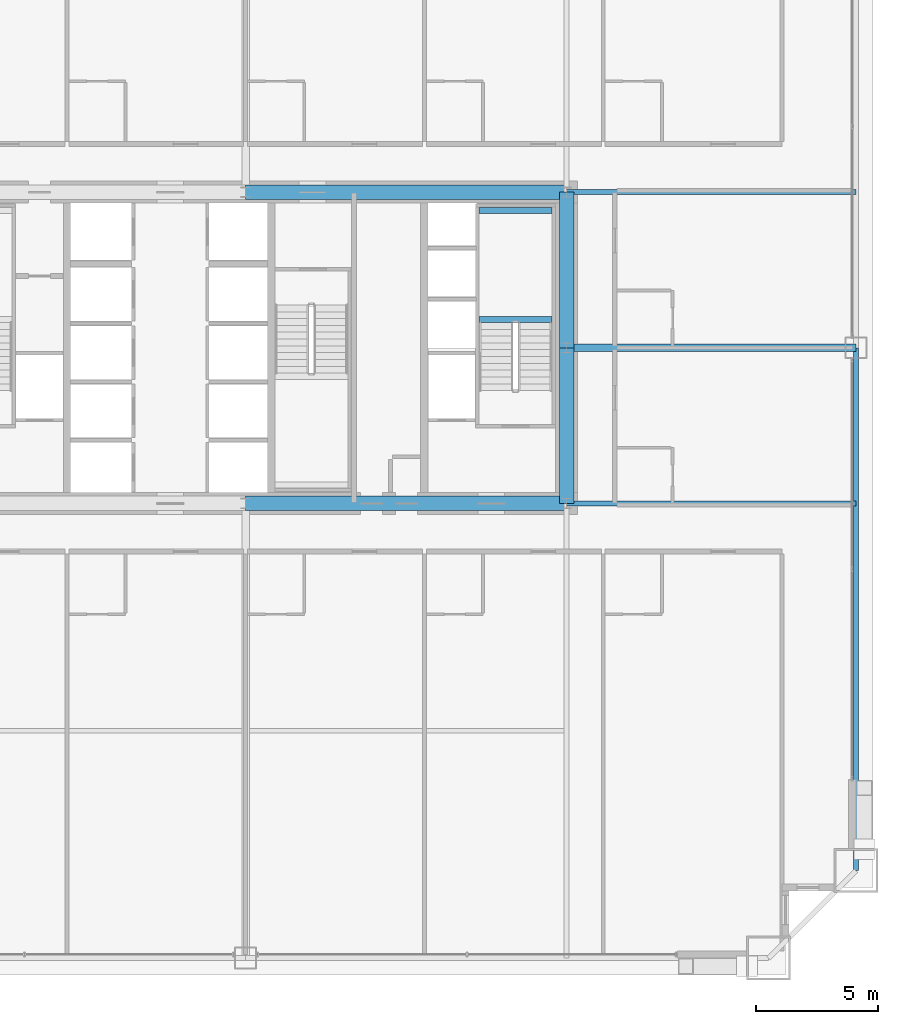
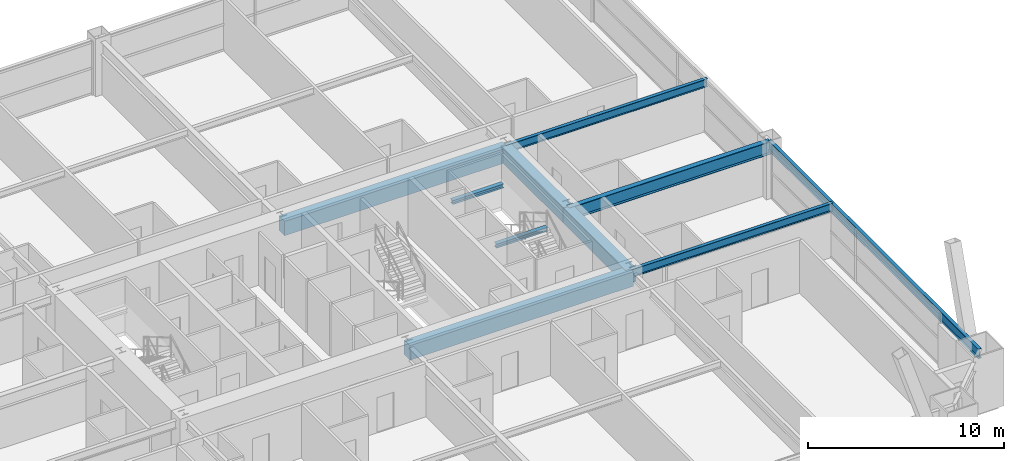
# One storey, part 18 of 43: 10 beams.
"""IFC4 building model written with IfcOpenShell, lengths in metres."""

from ifc_helpers import new_model, si_unit, direction, frame, origin, origin_2d, place, context, subcontext, project, spatial, rectangle, i_section, extrude, source, transform, mapped, material, material_profile, profile_set, type_object, element, save


model = new_model("IFC4")

# Units and contexts
model_context = context("Model", 3, precision=1e-05, world=origin(), true_north=direction((0.0, 1.0)))
body_context = subcontext(model_context, "Body", "Model", "MODEL_VIEW")
ifc_project = project(units=[si_unit("LENGTHUNIT", "METRE"), si_unit("AREAUNIT", "SQUARE_METRE"), si_unit("VOLUMEUNIT", "CUBIC_METRE"), si_unit("PLANEANGLEUNIT", "RADIAN"), si_unit("MASSUNIT", "GRAM", prefix="KILO"), si_unit("THERMODYNAMICTEMPERATUREUNIT", "KELVIN"), si_unit("POWERUNIT", "WATT")], contexts=[model_context])

# Site, building, storey
site_placement = place(None, origin())
site = spatial("IfcSite", under=ifc_project, at=site_placement, CompositionType="ELEMENT")
building_placement = place(site_placement, origin())
building = spatial("IfcBuilding", under=site, at=building_placement, Name="Yuzanri Waterfront Tower", CompositionType="ELEMENT")
storey_placement = place(building_placement, frame((0.0, 0.0, 37.800048828125)))
storey = spatial("IfcBuildingStorey", under=building, at=storey_placement, Name="L09", CompositionType="ELEMENT", Elevation=37.800048828125)

# Beams
ifc_material_1 = material(Name="Concrete C60", Category="concrete")
ifc_material_profile_1 = material_profile(ifc_material_1, rectangle(XDim=0.60009765625, YDim=0.89990234375, at=origin_2d()), Name="RC 600x900")
ifc_profile_set_1 = profile_set([ifc_material_profile_1], Name="Concrete C60")
beam_type_1 = type_object("IfcBeamType", Name="Core Coupling Lintel Concrete C60 600x900", PredefinedType="LINTEL", material=ifc_profile_set_1)
shared_shape_1 = source(origin(), body_context, "Body", "SweptSolid", [
    extrude(rectangle(XDim=0.60009765625, YDim=0.89990234375, at=origin_2d()), origin(), (0.0, 0.0, 1.0), 13.199951171875),
])
for number, where, z_axis, x_axis, name in (
    (1, (37.0, 19.39990234375, 2.869873046875), (1.0, 0.0, 0.0), (0.0, 1.0, 0.0), "L09 Core Tie Beam CS2"),
    (2, (37.0, 32.199951171875, 2.869873046875), (1.0, 0.0, 0.0), (0.0, 1.0, 0.0), "L09 Core Tie Beam CN2"),
):
    element("IfcBeam", number, at=place(storey_placement, frame(where, z_axis=z_axis, x_axis=x_axis)), inside=storey, type_object=beam_type_1, Name=name, PredefinedType="LINTEL", context=body_context, shape_type="MappedRepresentation", body=[
        mapped(shared_shape_1, transform((0.0, 0.0, 0.0), scale=1.0)),
    ])
shared_shape_2 = source(origin(), body_context, "Body", "SweptSolid", [
    extrude(rectangle(XDim=0.60009765625, YDim=0.89990234375, at=origin_2d()), origin(), (0.0, 0.0, 1.0), 6.400146484375),
])
beam_1_placement = place(storey_placement, frame((50.199951171875, 19.39990234375, 2.869873046875), z_axis=(0.0, 1.0, 0.0), x_axis=(-1.0, 0.0, 0.0)))
element("IfcBeam", 3, at=beam_1_placement, inside=storey, type_object=beam_type_1, Name="L09 Core Tie Beam CE1", PredefinedType="LINTEL", context=body_context, shape_type="MappedRepresentation", body=[
    mapped(shared_shape_2, transform((0.0, 0.0, 0.0), scale=1.0)),
])
shared_shape_3 = source(origin(), body_context, "Body", "SweptSolid", [
    extrude(rectangle(XDim=0.60009765625, YDim=0.89990234375, at=origin_2d()), origin(), (0.0, 0.0, 1.0), 6.39990234375),
])
beam_2_placement = place(storey_placement, frame((50.199951171875, 25.800048828125, 2.869873046875), z_axis=(0.0, 1.0, 0.0), x_axis=(-1.0, 0.0, 0.0)))
element("IfcBeam", 4, at=beam_2_placement, inside=storey, type_object=beam_type_1, Name="L09 Core Tie Beam CE2", PredefinedType="LINTEL", context=body_context, shape_type="MappedRepresentation", body=[
    mapped(shared_shape_3, transform((0.0, 0.0, 0.0), scale=1.0)),
])
ifc_material_2 = material(Name="Steel Q355B", Category="steel")
ifc_material_profile_2 = material_profile(ifc_material_2, i_section(OverallWidth=0.199951171875, OverallDepth=0.60009765625, WebThickness=0.010986328125, FlangeThickness=0.01708984375, at=origin_2d()), Name="HN 600x200x11x17")
ifc_profile_set_2 = profile_set([ifc_material_profile_2], Name="Steel Q355B")
beam_type_2 = type_object("IfcBeamType", Name="Perimeter Spandrel Q355B HN 600x200", PredefinedType="SPANDREL", material=ifc_profile_set_2)
shared_shape_4 = source(origin(), body_context, "Body", "SweptSolid", [
    extrude(i_section(OverallWidth=0.199951171875, OverallDepth=0.60009765625, WebThickness=0.010986328125, FlangeThickness=0.01708984375, at=origin_2d()), origin(), (0.0, 0.0, 1.0), 21.5),
])
beam_3_placement = place(storey_placement, frame((62.10009765625, 4.300048828125, 3.02001953125), z_axis=(0.0, 1.0, 0.0), x_axis=(-1.0, 0.0, 0.0)))
element("IfcBeam", 5, at=beam_3_placement, inside=storey, type_object=beam_type_2, Name="L09 Perimeter Spandrel E1-E2", PredefinedType="SPANDREL", context=body_context, shape_type="MappedRepresentation", body=[
    mapped(shared_shape_4, transform((0.0, 0.0, 0.0), scale=1.0)),
])
ifc_material_3 = material(Name="Steel Q355B", Category="steel")
ifc_material_profile_3 = material_profile(ifc_material_3, i_section(OverallWidth=0.300048828125, OverallDepth=0.800048828125, WebThickness=0.013916015625, FlangeThickness=0.02587890625, at=origin_2d()), Name="HN 800x300x14x26")
ifc_profile_set_3 = profile_set([ifc_material_profile_3], Name="Steel Q355B")
beam_type_3 = type_object("IfcBeamType", Name="Primary Floor Girder Q355B HN 800x300", PredefinedType="BEAM", material=ifc_profile_set_3)
shared_shape_5 = source(origin(), body_context, "Body", "SweptSolid", [
    extrude(i_section(OverallWidth=0.300048828125, OverallDepth=0.800048828125, WebThickness=0.013916015625, FlangeThickness=0.02587890625, at=origin_2d()), origin(), (0.0, 0.0, 1.0), 11.900146484375),
])
beam_4_placement = place(storey_placement, frame((50.199951171875, 25.800048828125, 2.919921875), z_axis=(1.0, 0.0, 0.0), x_axis=(0.0, 1.0, 0.0)))
element("IfcBeam", 6, at=beam_4_placement, inside=storey, type_object=beam_type_3, Name="L09 East Grid Girder", PredefinedType="BEAM", context=body_context, shape_type="MappedRepresentation", body=[
    mapped(shared_shape_5, transform((0.0, 0.0, 0.0), scale=1.0)),
])
ifc_material_4 = material(Name="Steel Q355B", Category="steel")
ifc_material_profile_4 = material_profile(ifc_material_4, i_section(OverallWidth=0.199951171875, OverallDepth=0.5, WebThickness=0.010009765625, FlangeThickness=0.01611328125, at=origin_2d()), Name="HN 500x200x10x16")
ifc_profile_set_4 = profile_set([ifc_material_profile_4], Name="Steel Q355B")
beam_type_4 = type_object("IfcBeamType", Name="Secondary Floor Beam Q355B HN 500x200", PredefinedType="BEAM", material=ifc_profile_set_4)
shared_shape_6 = source(origin(), body_context, "Body", "SweptSolid", [
    extrude(i_section(OverallWidth=0.199951171875, OverallDepth=0.5, WebThickness=0.010009765625, FlangeThickness=0.01611328125, at=origin_2d()), origin(), (0.0, 0.0, 1.0), 11.900146484375),
])
for number, where, z_axis, x_axis, name in (
    (7, (50.199951171875, 19.39990234375, 3.070068359375), (1.0, 0.0, 0.0), (0.0, 1.0, 0.0), "L09 East-South Core Line Beam"),
    (8, (50.199951171875, 32.199951171875, 3.070068359375), (1.0, 0.0, 0.0), (0.0, 1.0, 0.0), "L09 East-North Core Line Beam"),
):
    element("IfcBeam", number, at=place(storey_placement, frame(where, z_axis=z_axis, x_axis=x_axis)), inside=storey, type_object=beam_type_4, Name=name, PredefinedType="BEAM", context=body_context, shape_type="MappedRepresentation", body=[
        mapped(shared_shape_6, transform((0.0, 0.0, 0.0), scale=1.0)),
    ])
ifc_material_5 = material(Name="Steel Q355B", Category="steel")
ifc_material_profile_5 = material_profile(ifc_material_5, i_section(OverallWidth=0.25, OverallDepth=0.25, WebThickness=0.009033203125, FlangeThickness=0.013916015625, at=origin_2d()), Name="HW 250x250x9x14")
ifc_profile_set_5 = profile_set([ifc_material_profile_5], Name="Steel Q355B")
beam_type_5 = type_object("IfcBeamType", Name="Stair Landing Support Beam Q355B HW 250x250", PredefinedType="BEAM", material=ifc_profile_set_5)
shared_shape_7 = source(origin(), body_context, "Body", "SweptSolid", [
    extrude(i_section(OverallWidth=0.25, OverallDepth=0.25, WebThickness=0.009033203125, FlangeThickness=0.013916015625, at=origin_2d()), origin(), (0.0, 0.0, 1.0), 3.0),
])
for number, where, z_axis, x_axis, name in (
    (9, (46.60009765625, 26.969970703125, 1.474853515625), (1.0, 0.0, 0.0), (0.0, 1.0, 0.0), "L09 Stair Landing Support Beam ST-02-L09-L1-1"),
    (10, (46.60009765625, 31.449951171875, 1.474853515625), (1.0, 0.0, 0.0), (0.0, 1.0, 0.0), "L09 Stair Landing Support Beam ST-02-L09-L1-2"),
):
    element("IfcBeam", number, at=place(storey_placement, frame(where, z_axis=z_axis, x_axis=x_axis)), inside=storey, type_object=beam_type_5, Name=name, PredefinedType="BEAM", context=body_context, shape_type="MappedRepresentation", body=[
        mapped(shared_shape_7, transform((0.0, 0.0, 0.0), scale=1.0)),
    ])

save(model, "model.ifc")
